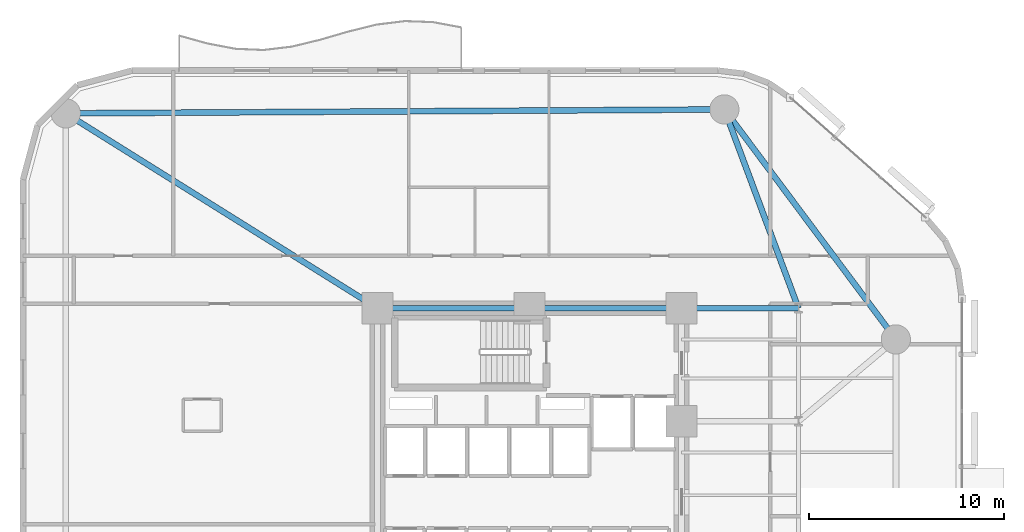
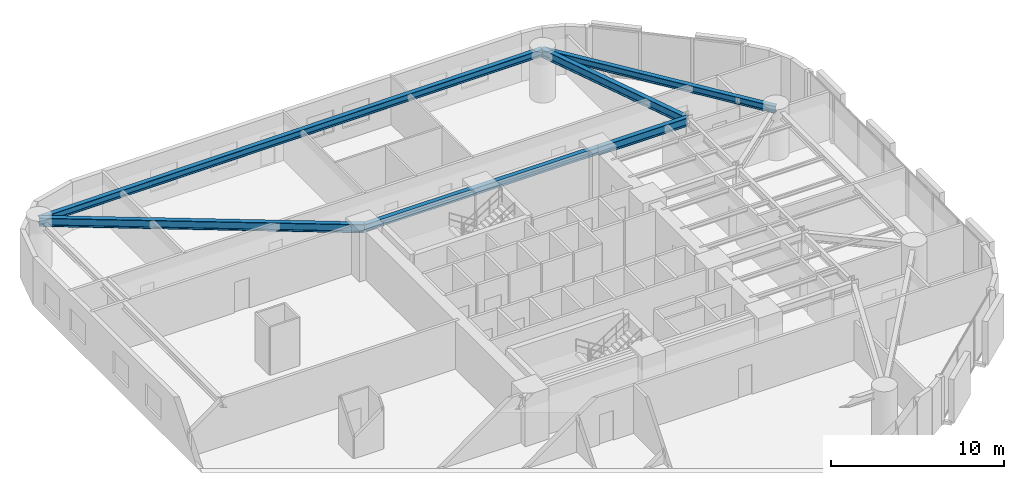
# One storey, part 7 of 16: 6 beams.
"""IFC4 building model written with IfcOpenShell, lengths in metres."""

from ifc_helpers import new_model, si_unit, direction, frame, origin, origin_2d, place, context, subcontext, project, spatial, i_section, extrude, material, material_profile, profile_set, type_object, element, save


model = new_model("IFC4")

# Units and contexts
model_context = context("Model", 3, precision=1e-05, world=origin(), true_north=direction((0.0, 1.0)))
body_context = subcontext(model_context, "Body", "Model", "MODEL_VIEW")
ifc_project = project(units=[si_unit("LENGTHUNIT", "METRE"), si_unit("AREAUNIT", "SQUARE_METRE"), si_unit("VOLUMEUNIT", "CUBIC_METRE"), si_unit("PLANEANGLEUNIT", "RADIAN"), si_unit("MASSUNIT", "GRAM", prefix="KILO")], contexts=[model_context])

# Site, building, storey
site_placement = place(None, origin())
site = spatial("IfcSite", under=ifc_project, at=site_placement, CompositionType="ELEMENT")
building_placement = place(site_placement, origin())
building = spatial("IfcBuilding", under=site, at=building_placement, Name="An Khanh Terracotta Commons", CompositionType="ELEMENT")
storey_placement = place(building_placement, frame((0.0, 0.0, 39.60009765625)))
storey = spatial("IfcBuildingStorey", under=building, at=storey_placement, Name="L10", CompositionType="ELEMENT", Elevation=39.60009765625)

# Beams
ifc_material = material(Name="Steel S355J2", Category="steel")
ifc_material_profile_1 = material_profile(ifc_material, i_section(OverallWidth=0.300048828125, OverallDepth=0.5, WebThickness=0.014404296875, FlangeThickness=0.028076171875, FilletRadius=0.027099609375, at=origin_2d()), Name="HEB500")
ifc_profile_set_1 = profile_set([ifc_material_profile_1], Name="Steel S355J2")
beam_type_1 = type_object("IfcBeamType", Name="BM-HEB500", PredefinedType="BEAM", material=ifc_profile_set_1)
beam_1_placement = place(storey_placement, frame((21.60009765625, 33.60009765625, 3.14990234375), z_axis=(1.0, 0.0, 0.0), x_axis=(0.0, 1.0, 0.0)))
element("IfcBeam", 1, at=beam_1_placement, inside=storey, type_object=beam_type_1, Name="L10 Core North Coupling Girder", PredefinedType="BEAM", context=body_context, shape_type="SweptSolid", body=[
    extrude(i_section(OverallWidth=0.300048828125, OverallDepth=0.5, WebThickness=0.014404296875, FlangeThickness=0.028076171875, FilletRadius=0.027099609375, at=origin_2d()), origin(), (0.0, 0.0, 1.0), 15.599853515625),
])
beam_2_placement = place(storey_placement, frame((48.199951171875, 32.0, 3.14990234375), z_axis=(-0.59782442166, 0.801627070942, 0.0), x_axis=(-0.801627070942, -0.59782442166, 0.0)))
element("IfcBeam", 2, at=beam_2_placement, inside=storey, type_object=beam_type_1, Name="L10 Perimeter Ring Spandrel 4", PredefinedType="BEAM", context=body_context, shape_type="SweptSolid", body=[
    extrude(i_section(OverallWidth=0.300048828125, OverallDepth=0.5, WebThickness=0.014404296875, FlangeThickness=0.028076171875, FilletRadius=0.027099609375, at=origin_2d()), origin(), (0.0, 0.0, 1.0), 14.72021484375),
])
beam_3_placement = place(storey_placement, frame((39.39990234375, 43.800048828125, 3.14990234375), z_axis=(-0.999982502414, -0.005915645817, 0.0), x_axis=(0.005915645817, -0.999982502414, 0.0)))
element("IfcBeam", 3, at=beam_3_placement, inside=storey, type_object=beam_type_1, Name="L10 Perimeter Ring Spandrel 5", PredefinedType="BEAM", context=body_context, shape_type="SweptSolid", body=[
    extrude(i_section(OverallWidth=0.300048828125, OverallDepth=0.5, WebThickness=0.014404296875, FlangeThickness=0.028076171875, FilletRadius=0.027099609375, at=origin_2d()), origin(), (0.0, 0.0, 1.0), 33.80029296875),
])
ifc_material_profile_2 = material_profile(ifc_material, i_section(OverallWidth=0.300048828125, OverallDepth=0.60009765625, WebThickness=0.015380859375, FlangeThickness=0.030029296875, FilletRadius=0.027099609375, at=origin_2d()), Name="HEB600")
ifc_profile_set_2 = profile_set([ifc_material_profile_2], Name="Steel S355J2")
beam_type_2 = type_object("IfcBeamType", Name="BM-HEB600", PredefinedType="BEAM", material=ifc_profile_set_2)
beam_4_placement = place(storey_placement, frame((37.199951171875, 33.60009765625, 3.099853515625), z_axis=(1.0, 0.0, 0.0), x_axis=(0.0, 1.0, 0.0)))
element("IfcBeam", 4, at=beam_4_placement, inside=storey, type_object=beam_type_2, Name="L10 East Primary Floor Girder 4", PredefinedType="BEAM", context=body_context, shape_type="SweptSolid", body=[
    extrude(i_section(OverallWidth=0.300048828125, OverallDepth=0.60009765625, WebThickness=0.015380859375, FlangeThickness=0.030029296875, FilletRadius=0.027099609375, at=origin_2d()), origin(), (0.0, 0.0, 1.0), 6.0),
])
beam_5_placement = place(storey_placement, frame((39.39990234375, 43.800048828125, 3.099853515625), z_axis=(0.349114429862, -0.937080100558, 0.0), x_axis=(0.937080100558, 0.349114429862, 0.0)))
element("IfcBeam", 5, at=beam_5_placement, inside=storey, type_object=beam_type_2, Name="L10 Mega-Column Tie Girder 5", PredefinedType="BEAM", context=body_context, shape_type="SweptSolid", body=[
    extrude(i_section(OverallWidth=0.300048828125, OverallDepth=0.60009765625, WebThickness=0.015380859375, FlangeThickness=0.030029296875, FilletRadius=0.027099609375, at=origin_2d()), origin(), (0.0, 0.0, 1.0), 10.884765625),
])
beam_6_placement = place(storey_placement, frame((5.60009765625, 43.60009765625, 3.099853515625), z_axis=(0.847998304005, -0.529998940003, 0.0), x_axis=(0.529998940003, 0.847998304005, 0.0)))
element("IfcBeam", 6, at=beam_6_placement, inside=storey, type_object=beam_type_2, Name="L10 Mega-Column Tie Girder 6", PredefinedType="BEAM", context=body_context, shape_type="SweptSolid", body=[
    extrude(i_section(OverallWidth=0.300048828125, OverallDepth=0.60009765625, WebThickness=0.015380859375, FlangeThickness=0.030029296875, FilletRadius=0.027099609375, at=origin_2d()), origin(), (0.0, 0.0, 1.0), 18.867919921875),
])

save(model, "model.ifc")
